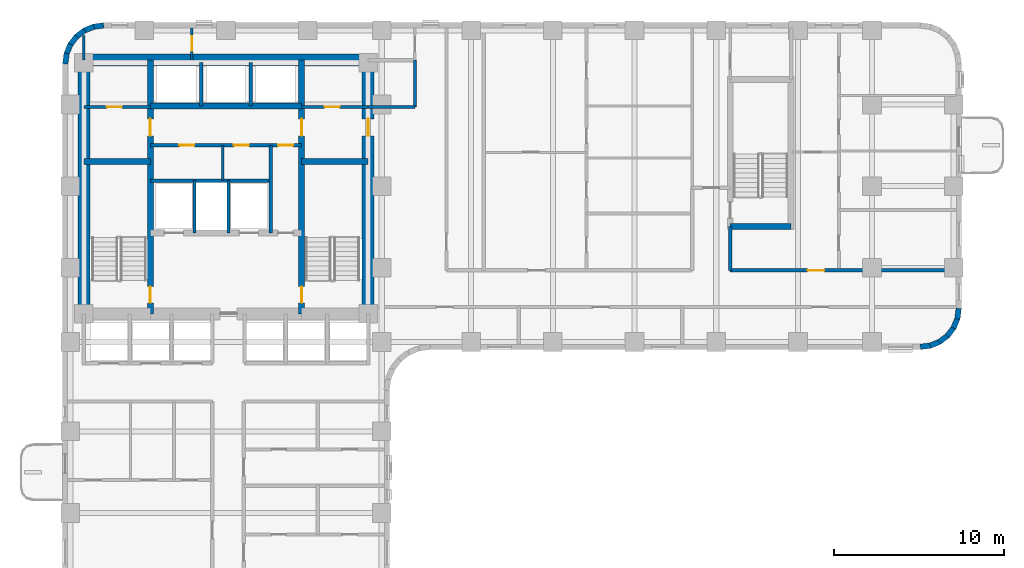
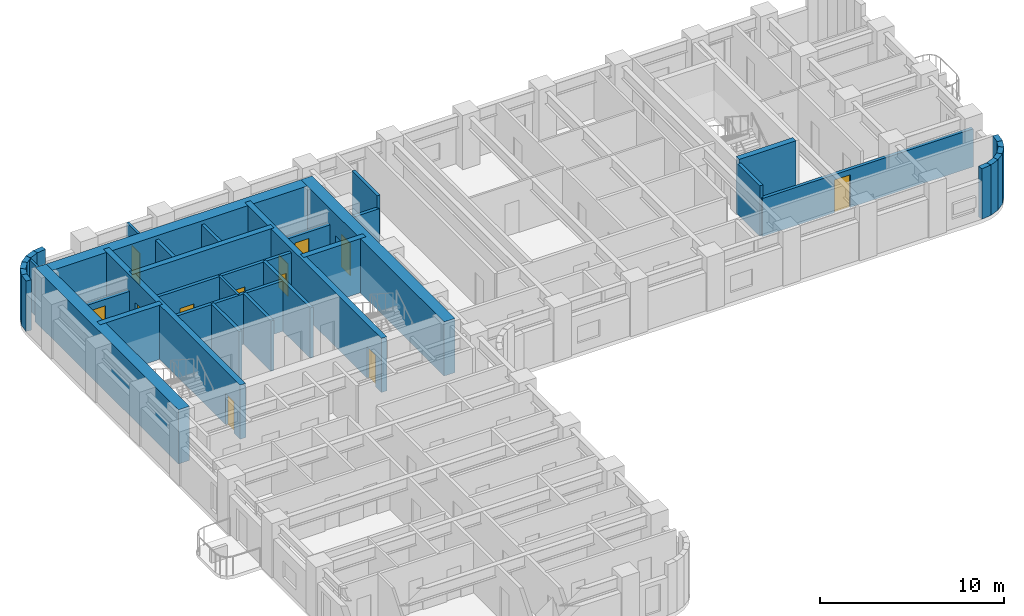
# One storey, part 5 of 11: 37 walls, 12 doors, 12 openings.
"""IFC4 building model written with IfcOpenShell, lengths in metres."""

from ifc_helpers import new_model, si_unit, direction, frame, frame_2d, origin, place, context, subcontext, project, spatial, rectangle, extrude, material, layer, layer_set, type_object, element, fill, save


model = new_model("IFC4")

# Units and contexts
model_context = context("Model", 3, precision=1e-05, world=origin(), true_north=direction((0.0, 1.0)))
body_context = subcontext(model_context, "Body", "Model", "MODEL_VIEW")
ifc_project = project(units=[si_unit("LENGTHUNIT", "METRE"), si_unit("AREAUNIT", "SQUARE_METRE"), si_unit("VOLUMEUNIT", "CUBIC_METRE"), si_unit("PLANEANGLEUNIT", "RADIAN"), si_unit("MASSUNIT", "GRAM", prefix="KILO")], contexts=[model_context])

# Site, building, storey
site_placement = place(None, origin())
site = spatial("IfcSite", under=ifc_project, at=site_placement, CompositionType="ELEMENT")
building_placement = place(site_placement, origin())
building = spatial("IfcBuilding", under=site, at=building_placement, Name="Orvandelia Arch Residences", CompositionType="ELEMENT")
storey_placement = place(building_placement, frame((0.0, 0.0, 64.60009765625)))
storey = spatial("IfcBuildingStorey", under=building, at=storey_placement, Name="L16", CompositionType="ELEMENT", Elevation=64.60009765625)

# Wall, openings, doors
ifc_material_1 = material(Name="Concrete C50/60", Category="concrete")
ifc_layer_1 = layer(ifc_material_1, 0.35009765625, Name="Concrete C50/60", Category="concrete")
ifc_layer_set_1 = layer_set([ifc_layer_1], Name="Concrete C50/60")
wall_type_1 = type_object("IfcWallType", Name="WL-CORE-350", PredefinedType="SHEAR", material=ifc_layer_set_1)
wall_1_placement = place(storey_placement, frame((9.9599609375, 30.89990234375, 0.0), z_axis=(0.0, 0.0, 1.0), x_axis=(0.0, 1.0, 0.0)))
wall_1 = element("IfcWall", 1, at=wall_1_placement, inside=storey, type_object=wall_type_1, Name="Core Shear Wall L16-WEB1", PredefinedType="SHEAR", context=body_context, shape_type="SweptSolid", body=[
    extrude(rectangle(XDim=14.900146484375, YDim=0.35009765625, at=frame_2d((7.4501953125, 0.0))), origin(), (0.0, 0.0, 1.0), 3.599853515625),
])
opening_1_placement = place(wall_1_placement, frame((0.64990234375, 0.0, 0.0)))
opening_1 = element("IfcOpeningElement", 2, at=opening_1_placement, cuts=wall_1, Name="Opening D7", PredefinedType="OPENING", context=body_context, shape_type="SweptSolid", body=[
    extrude(rectangle(XDim=0.949951171875, YDim=2.10009765625, at=frame_2d((0.47509765625, 1.050048828125))), frame((0.0, 0.18505859375, 0.0), z_axis=(0.0, -1.0, 0.0), x_axis=(1.0, 0.0, 0.0)), (0.0, 0.0, 1.0), 0.3701171875),
])
opening_2_placement = place(wall_1_placement, frame((10.449951171875, 0.0, 0.0)))
opening_2 = element("IfcOpeningElement", 3, at=opening_2_placement, cuts=wall_1, Name="Opening D6", PredefinedType="OPENING", context=body_context, shape_type="SweptSolid", body=[
    extrude(rectangle(XDim=1.0, YDim=2.14990234375, at=frame_2d((0.5, 1.074951171875))), frame((0.0, 0.18505859375, 0.0), z_axis=(0.0, -1.0, 0.0), x_axis=(1.0, 0.0, 0.0)), (0.0, 0.0, 1.0), 0.3701171875),
])
ifc_material_2 = material(Name="Smokeproof Painted Steel Fire Door", Category="steel")
door_type_1 = type_object("IfcDoorType", Name="DR-FD60-1000", OperationType="NOTDEFINED", PredefinedType="DOOR", material=ifc_material_2)
door_1_placement = place(opening_2_placement, origin())
door_1 = element("IfcDoor", 4, at=door_1_placement, inside=storey, type_object=door_type_1, Name="High-Rise Lift Hall West Vestibule Door L16", OperationType="SINGLE_SWING_LEFT", OverallHeight=2.14990234375, OverallWidth=1.0, PredefinedType="DOOR", context=body_context, shape_type="SweptSolid", body=[
    extrude(rectangle(XDim=1.0, YDim=2.14990234375, at=frame_2d((0.5, 1.074951171875))), frame((0.0, 0.02490234375, 0.0), z_axis=(0.0, -1.0, 0.0), x_axis=(1.0, 0.0, 0.0)), (0.0, 0.0, 1.0), 0.050048828125),
])
fill(opening_2, door_1)
ifc_material_3 = material(Name="Pressurised Stairwell Fire Door")
door_type_2 = type_object("IfcDoorType", Name="DR-STAIR-950", OperationType="NOTDEFINED", PredefinedType="DOOR", material=ifc_material_3)
door_2_placement = place(opening_1_placement, origin())
door_2 = element("IfcDoor", 5, at=door_2_placement, inside=storey, type_object=door_type_2, Name="Stairwell ST-1 Fire Door L16", OperationType="SINGLE_SWING_LEFT", OverallHeight=2.10009765625, OverallWidth=0.949951171875, PredefinedType="DOOR", context=body_context, shape_type="SweptSolid", body=[
    extrude(rectangle(XDim=0.949951171875, YDim=2.10009765625, at=frame_2d((0.47509765625, 1.050048828125))), frame((0.0, 0.02490234375, 0.0), z_axis=(0.0, -1.0, 0.0), x_axis=(1.0, 0.0, 0.0)), (0.0, 0.0, 1.0), 0.050048828125),
])
fill(opening_1, door_2)

wall_2_placement = place(storey_placement, frame((18.840087890625, 30.89990234375, 0.0), z_axis=(0.0, 0.0, 1.0), x_axis=(0.0, 1.0, 0.0)))
wall_2 = element("IfcWall", 6, at=wall_2_placement, inside=storey, type_object=wall_type_1, Name="Core Shear Wall L16-WEB2", PredefinedType="SHEAR", context=body_context, shape_type="SweptSolid", body=[
    extrude(rectangle(XDim=14.900146484375, YDim=0.35009765625, at=frame_2d((7.4501953125, 0.0))), origin(), (0.0, 0.0, 1.0), 3.599853515625),
])
opening_3_placement = place(wall_2_placement, frame((0.64990234375, 0.0, 0.0)))
opening_3 = element("IfcOpeningElement", 7, at=opening_3_placement, cuts=wall_2, Name="Opening D7", PredefinedType="OPENING", context=body_context, shape_type="SweptSolid", body=[
    extrude(rectangle(XDim=0.949951171875, YDim=2.10009765625, at=frame_2d((0.47509765625, 1.050048828125))), frame((0.0, 0.18505859375, 0.0), z_axis=(0.0, -1.0, 0.0), x_axis=(1.0, 0.0, 0.0)), (0.0, 0.0, 1.0), 0.3701171875),
])
opening_4_placement = place(wall_2_placement, frame((10.449951171875, 0.0, 0.0)))
opening_4 = element("IfcOpeningElement", 8, at=opening_4_placement, cuts=wall_2, Name="Opening D6", PredefinedType="OPENING", context=body_context, shape_type="SweptSolid", body=[
    extrude(rectangle(XDim=1.0, YDim=2.14990234375, at=frame_2d((0.5, 1.074951171875))), frame((0.0, 0.18505859375, 0.0), z_axis=(0.0, -1.0, 0.0), x_axis=(1.0, 0.0, 0.0)), (0.0, 0.0, 1.0), 0.3701171875),
])
door_3_placement = place(opening_4_placement, origin())
door_3 = element("IfcDoor", 9, at=door_3_placement, inside=storey, type_object=door_type_1, Name="High-Rise Lift Hall East Vestibule Door L16", OperationType="SINGLE_SWING_RIGHT", OverallHeight=2.14990234375, OverallWidth=1.0, PredefinedType="DOOR", context=body_context, shape_type="SweptSolid", body=[
    extrude(rectangle(XDim=1.0, YDim=2.14990234375, at=frame_2d((0.5, 1.074951171875))), frame((0.0, 0.02490234375, 0.0), z_axis=(0.0, -1.0, 0.0), x_axis=(1.0, 0.0, 0.0)), (0.0, 0.0, 1.0), 0.050048828125),
])
fill(opening_4, door_3)
door_4_placement = place(opening_3_placement, origin())
door_4 = element("IfcDoor", 10, at=door_4_placement, inside=storey, type_object=door_type_2, Name="Stairwell ST-2 Fire Door L16", OperationType="SINGLE_SWING_RIGHT", OverallHeight=2.10009765625, OverallWidth=0.949951171875, PredefinedType="DOOR", context=body_context, shape_type="SweptSolid", body=[
    extrude(rectangle(XDim=0.949951171875, YDim=2.10009765625, at=frame_2d((0.47509765625, 1.050048828125))), frame((0.0, 0.02490234375, 0.0), z_axis=(0.0, -1.0, 0.0), x_axis=(1.0, 0.0, 0.0)), (0.0, 0.0, 1.0), 0.050048828125),
])
fill(opening_3, door_4)

# Walls
for number, where, z_axis, x_axis, name in (
    (11, (6.050048828125, 39.85009765625, 0.0), (0.0, 0.0, 1.0), (1.0, 0.0, 0.0), "Core Shear Wall L16-HZ1"),
    (12, (18.840087890625, 39.85009765625, 0.0), (0.0, 0.0, 1.0), (1.0, 0.0, 0.0), "Core Shear Wall L16-HZ2"),
):
    element("IfcWall", number, at=place(storey_placement, frame(where, z_axis=z_axis, x_axis=x_axis)), inside=storey, type_object=wall_type_1, Name=name, PredefinedType="SHEAR", context=body_context, shape_type="SweptSolid", body=[
        extrude(rectangle(XDim=3.909912109375, YDim=0.35009765625, at=frame_2d((1.955078125, 0.0))), origin(), (0.0, 0.0, 1.0), 3.599853515625),
    ])
wall_3_placement = place(storey_placement, frame((9.9599609375, 43.10009765625, 0.0), z_axis=(0.0, 0.0, 1.0), x_axis=(1.0, 0.0, 0.0)))
element("IfcWall", 13, at=wall_3_placement, inside=storey, type_object=wall_type_1, Name="Core Shear Wall L16-HZ4", PredefinedType="SHEAR", context=body_context, shape_type="SweptSolid", body=[
    extrude(rectangle(XDim=8.880126953125, YDim=0.35009765625, at=frame_2d((4.43994140625, 0.0))), origin(), (0.0, 0.0, 1.0), 3.599853515625),
])
wall_4_placement = place(storey_placement, frame((44.02001953125, 36.0400390625, 0.0), z_axis=(0.0, 0.0, 1.0), x_axis=(1.0, 0.0, 0.0)))
element("IfcWall", 14, at=wall_4_placement, inside=storey, type_object=wall_type_1, Name="East Stair Core Shear Wall L16-S", PredefinedType="SHEAR", context=body_context, shape_type="SweptSolid", body=[
    extrude(rectangle(XDim=3.580078125, YDim=0.35009765625, at=frame_2d((1.7900390625, 0.0))), origin(), (0.0, 0.0, 1.0), 3.599853515625),
])
ifc_material_4 = material(Name="Concrete C80/95", Category="concrete")
ifc_layer_2 = layer(ifc_material_4, 0.699951171875, Name="Concrete C80/95", Category="concrete")
ifc_layer_set_2 = layer_set([ifc_layer_2], Name="Concrete C80/95")
wall_type_2 = type_object("IfcWallType", Name="WL-CORE-700", PredefinedType="SHEAR", material=ifc_layer_set_2)
wall_5_placement = place(storey_placement, frame((6.050048828125, 30.550048828125, 0.0), z_axis=(0.0, 0.0, 1.0), x_axis=(0.0, 1.0, 0.0)))
element("IfcWall", 15, at=wall_5_placement, inside=storey, type_object=wall_type_2, Name="Core Shear Wall L16-W", PredefinedType="SHEAR", context=body_context, shape_type="SweptSolid", body=[
    extrude(rectangle(XDim=15.599853515625, YDim=0.699951171875, at=frame_2d((7.7998046875, 0.0))), origin(), (0.0, 0.0, 1.0), 3.599853515625),
])

# Wall, opening, door
wall_6_placement = place(storey_placement, frame((22.75, 30.550048828125, 0.0), z_axis=(0.0, 0.0, 1.0), x_axis=(0.0, 1.0, 0.0)))
wall_6 = element("IfcWall", 16, at=wall_6_placement, inside=storey, type_object=wall_type_2, Name="Core Shear Wall L16-E", PredefinedType="SHEAR", context=body_context, shape_type="SweptSolid", body=[
    extrude(rectangle(XDim=15.599853515625, YDim=0.699951171875, at=frame_2d((7.7998046875, 0.0))), origin(), (0.0, 0.0, 1.0), 3.599853515625),
])
opening_5_placement = place(wall_6_placement, frame((10.800048828125, 0.0, 0.0)))
opening_5 = element("IfcOpeningElement", 17, at=opening_5_placement, cuts=wall_6, Name="Opening D6", PredefinedType="OPENING", context=body_context, shape_type="SweptSolid", body=[
    extrude(rectangle(XDim=1.0, YDim=2.14990234375, at=frame_2d((0.5, 1.074951171875))), frame((0.0, 0.35986328125, 0.0), z_axis=(0.0, -1.0, 0.0), x_axis=(1.0, 0.0, 0.0)), (0.0, 0.0, 1.0), 0.719970703125),
])
door_5_placement = place(opening_5_placement, origin())
door_5 = element("IfcDoor", 18, at=door_5_placement, inside=storey, type_object=door_type_1, Name="Core East Corridor Link Door L16", OperationType="SINGLE_SWING_LEFT", OverallHeight=2.14990234375, OverallWidth=1.0, PredefinedType="DOOR", context=body_context, shape_type="SweptSolid", body=[
    extrude(rectangle(XDim=1.0, YDim=2.14990234375, at=frame_2d((0.5, 1.074951171875))), frame((0.0, 0.02490234375, 0.0), z_axis=(0.0, -1.0, 0.0), x_axis=(1.0, 0.0, 0.0)), (0.0, 0.0, 1.0), 0.050048828125),
])
fill(opening_5, door_5)

# Wall
wall_7_placement = place(storey_placement, frame((6.050048828125, 45.800048828125, 0.0), z_axis=(0.0, 0.0, 1.0), x_axis=(1.0, 0.0, 0.0)))
element("IfcWall", 19, at=wall_7_placement, inside=storey, type_object=wall_type_2, Name="Core Shear Wall L16-N", PredefinedType="SHEAR", context=body_context, shape_type="SweptSolid", body=[
    extrude(rectangle(XDim=16.699951171875, YDim=0.699951171875, at=frame_2d((8.35009765625, 0.0))), origin(), (0.0, 0.0, 1.0), 3.599853515625),
])

# Wall, opening, door
ifc_material_5 = material(Name="Fire-Rated Corridor Partition")
ifc_layer_3 = layer(ifc_material_5, 0.199951171875, Name="Fire-Rated Corridor Partition")
ifc_layer_set_3 = layer_set([ifc_layer_3], Name="Fire-Rated Corridor Partition")
wall_type_3 = type_object("IfcWallType", Name="WL-CORR-200", PredefinedType="PARTITIONING", material=ifc_layer_set_3)
wall_8_placement = place(storey_placement, frame((44.02001953125, 33.449951171875, 0.0), z_axis=(0.0, 0.0, 1.0), x_axis=(1.0, 0.0, 0.0)))
wall_8 = element("IfcWall", 20, at=wall_8_placement, inside=storey, type_object=wall_type_3, Name="Interior Partition Wall WL-L16-ES-N2", PredefinedType="PARTITIONING", context=body_context, shape_type="SweptSolid", body=[
    extrude(rectangle(XDim=13.260009765625, YDim=0.199951171875, at=frame_2d((6.6298828125, 0.0))), origin(), (0.0, 0.0, 1.0), 2.52978515625),
])
opening_6_placement = place(wall_8_placement, frame((4.548583984375, 0.0, 0.0)))
opening_6 = element("IfcOpeningElement", 21, at=opening_6_placement, cuts=wall_8, Name="Opening D1", PredefinedType="OPENING", context=body_context, shape_type="SweptSolid", body=[
    extrude(rectangle(XDim=0.97998046875, YDim=2.179931640625, at=frame_2d((0.489990234375, 1.08984375))), frame((0.0, 0.10986328125, 0.0), z_axis=(0.0, -1.0, 0.0), x_axis=(1.0, 0.0, 0.0)), (0.0, 0.0, 1.0), 0.219970703125),
])
ifc_material_6 = material(Name="Solid-Core Timber Acoustic Fire Door", Category="wood")
door_type_3 = type_object("IfcDoorType", Name="DR-ENT-980", OperationType="NOTDEFINED", PredefinedType="DOOR", material=ifc_material_6)
door_6_placement = place(opening_6_placement, origin())
door_6 = element("IfcDoor", 22, at=door_6_placement, inside=storey, type_object=door_type_3, Name="Unit L16-08 Entrance Door", OperationType="SINGLE_SWING_RIGHT", OverallHeight=2.179931640625, OverallWidth=0.97998046875, PredefinedType="DOOR", context=body_context, shape_type="SweptSolid", body=[
    extrude(rectangle(XDim=0.97998046875, YDim=2.179931640625, at=frame_2d((0.489990234375, 1.08984375))), frame((0.0, 0.02490234375, 0.0), z_axis=(0.0, -1.0, 0.0), x_axis=(1.0, 0.0, 0.0)), (0.0, 0.0, 1.0), 0.050048828125),
])
fill(opening_6, door_6)

# Walls
wall_9_placement = place(storey_placement, frame((22.75, 43.050048828125, 0.0), z_axis=(0.0, 0.0, 1.0), x_axis=(1.0, 0.0, 0.0)))
element("IfcWall", 23, at=wall_9_placement, inside=storey, type_object=wall_type_3, Name="Interior Partition Wall WL-L16-ES-LS", PredefinedType="PARTITIONING", context=body_context, shape_type="SweptSolid", body=[
    extrude(rectangle(XDim=2.75, YDim=0.199951171875, at=frame_2d((1.375, 0.0))), origin(), (0.0, 0.0, 1.0), 2.52978515625),
])
wall_10_placement = place(storey_placement, frame((25.5, 43.050048828125, 0.0), z_axis=(0.0, 0.0, 1.0), x_axis=(0.0, 1.0, 0.0)))
element("IfcWall", 24, at=wall_10_placement, inside=storey, type_object=wall_type_3, Name="Interior Partition Wall WL-L16-ES-LW2", PredefinedType="PARTITIONING", context=body_context, shape_type="SweptSolid", body=[
    extrude(rectangle(XDim=2.75, YDim=0.199951171875, at=frame_2d((1.375, 0.0))), origin(), (0.0, 0.0, 1.0), 3.349853515625),
])
ifc_material_7 = material(Name="Concrete C40/50", Category="concrete")
ifc_layer_4 = layer(ifc_material_7, 0.199951171875, Name="Concrete C40/50", Category="concrete")
ifc_layer_set_4 = layer_set([ifc_layer_4], Name="Concrete C40/50")
wall_type_4 = type_object("IfcWallType", Name="WL-DEM-200", PredefinedType="SOLIDWALL", material=ifc_layer_set_4)
wall_11_placement = place(storey_placement, frame((44.02001953125, 33.449951171875, 0.0), z_axis=(0.0, 0.0, 1.0), x_axis=(0.0, 1.0, 0.0)))
element("IfcWall", 25, at=wall_11_placement, inside=storey, type_object=wall_type_4, Name="Interior Partition Wall WL-L16-ES-NST3S", PredefinedType="SOLIDWALL", context=body_context, shape_type="SweptSolid", body=[
    extrude(rectangle(XDim=2.590087890625, YDim=0.199951171875, at=frame_2d((1.294921875, 0.0))), origin(), (0.0, 0.0, 1.0), 3.349853515625),
])
ifc_material_8 = material(Name="Precast concrete C40/50", Category="concrete")
ifc_layer_5 = layer(ifc_material_8, 0.320068359375, Name="Precast concrete C40/50", Category="concrete")
ifc_layer_set_5 = layer_set([ifc_layer_5], Name="Precast concrete C40/50")
wall_type_5 = type_object("IfcWallType", Name="WL-EXT-STONE-320", PredefinedType="STANDARD", material=ifc_layer_set_5)
for number, where, z_axis, x_axis, name in (
    (26, (4.95849609375, 45.5791015625, 0.0), (0.0, 0.0, 1.0), (0.130555323746, 0.9914410257, 0.0), "Coral-Limestone Precast Facade Wall L16-001"),
    (27, (5.029541015625, 46.159912109375, 0.0), (0.0, 0.0, 1.0), (0.382650053678, 0.92389335771, 0.0), "Coral-Limestone Precast Facade Wall L16-002"),
):
    element("IfcWall", number, at=place(storey_placement, frame(where, z_axis=z_axis, x_axis=x_axis)), inside=storey, type_object=wall_type_5, Name=name, PredefinedType="STANDARD", context=body_context, shape_type="SweptSolid", body=[
        extrude(rectangle(XDim=0.62646484375, YDim=0.320068359375, at=frame_2d((0.313232421875, 0.0))), origin(), (0.0, 0.0, 1.0), 3.349853515625),
    ])
wall_12_placement = place(storey_placement, frame((5.248291015625, 46.70263671875, 0.0), z_axis=(0.0, 0.0, 1.0), x_axis=(0.608938521285, 0.7932174212, 0.0)))
element("IfcWall", 28, at=wall_12_placement, inside=storey, type_object=wall_type_5, Name="Coral-Limestone Precast Facade Wall L16-003", PredefinedType="STANDARD", context=body_context, shape_type="SweptSolid", body=[
    extrude(rectangle(XDim=0.626708984375, YDim=0.320068359375, at=frame_2d((0.3134765625, 0.0))), origin(), (0.0, 0.0, 1.0), 3.349853515625),
])
wall_13_placement = place(storey_placement, frame((5.600341796875, 47.170166015625, 0.0), z_axis=(0.0, 0.0, 1.0), x_axis=(0.793405610854, 0.608693302629, 0.0)))
element("IfcWall", 29, at=wall_13_placement, inside=storey, type_object=wall_type_5, Name="Coral-Limestone Precast Facade Wall L16-004", PredefinedType="STANDARD", context=body_context, shape_type="SweptSolid", body=[
    extrude(rectangle(XDim=0.62646484375, YDim=0.320068359375, at=frame_2d((0.313232421875, 0.0))), origin(), (0.0, 0.0, 1.0), 3.349853515625),
])
wall_14_placement = place(storey_placement, frame((6.061279296875, 47.53076171875, 0.0), z_axis=(0.0, 0.0, 1.0), x_axis=(0.923836271867, 0.382787856107, 0.0)))
element("IfcWall", 30, at=wall_14_placement, inside=storey, type_object=wall_type_5, Name="Coral-Limestone Precast Facade Wall L16-005", PredefinedType="STANDARD", context=body_context, shape_type="SweptSolid", body=[
    extrude(rectangle(XDim=0.626220703125, YDim=0.320068359375, at=frame_2d((0.31298828125, 0.0))), origin(), (0.0, 0.0, 1.0), 3.349853515625),
])
for number, where, z_axis, x_axis, name in (
    (31, (6.599609375, 47.759521484375, 0.0), (0.0, 0.0, 1.0), (0.991447664465, 0.130504898859, 0.0), "Coral-Limestone Precast Facade Wall L16-006"),
    (32, (57.44140625, 31.220947265625, 0.0), (0.0, 0.0, 1.0), (-0.130504898859, -0.991447664465, 0.0), "Coral-Limestone Precast Facade Wall L16-015"),
):
    element("IfcWall", number, at=place(storey_placement, frame(where, z_axis=z_axis, x_axis=x_axis)), inside=storey, type_object=wall_type_5, Name=name, PredefinedType="STANDARD", context=body_context, shape_type="SweptSolid", body=[
        extrude(rectangle(XDim=0.626708984375, YDim=0.320068359375, at=frame_2d((0.3134765625, 0.0))), origin(), (0.0, 0.0, 1.0), 3.349853515625),
    ])
wall_15_placement = place(storey_placement, frame((57.370361328125, 30.639892578125, 0.0), z_axis=(0.0, 0.0, 1.0), x_axis=(-0.382787856107, -0.923836271867, 0.0)))
element("IfcWall", 33, at=wall_15_placement, inside=storey, type_object=wall_type_5, Name="Coral-Limestone Precast Facade Wall L16-016", PredefinedType="STANDARD", context=body_context, shape_type="SweptSolid", body=[
    extrude(rectangle(XDim=0.626220703125, YDim=0.320068359375, at=frame_2d((0.31298828125, 0.0))), origin(), (0.0, 0.0, 1.0), 3.349853515625),
])
wall_16_placement = place(storey_placement, frame((57.151611328125, 30.097412109375, 0.0), z_axis=(0.0, 0.0, 1.0), x_axis=(-0.608693302629, -0.793405610854, 0.0)))
element("IfcWall", 34, at=wall_16_placement, inside=storey, type_object=wall_type_5, Name="Coral-Limestone Precast Facade Wall L16-017", PredefinedType="STANDARD", context=body_context, shape_type="SweptSolid", body=[
    extrude(rectangle(XDim=0.62646484375, YDim=0.320068359375, at=frame_2d((0.313232421875, 0.0))), origin(), (0.0, 0.0, 1.0), 3.349853515625),
])
wall_17_placement = place(storey_placement, frame((56.7998046875, 29.6298828125, 0.0), z_axis=(0.0, 0.0, 1.0), x_axis=(-0.793361818833, -0.608750379399, 0.0)))
element("IfcWall", 35, at=wall_17_placement, inside=storey, type_object=wall_type_5, Name="Coral-Limestone Precast Facade Wall L16-018", PredefinedType="STANDARD", context=body_context, shape_type="SweptSolid", body=[
    extrude(rectangle(XDim=0.626953125, YDim=0.320068359375, at=frame_2d((0.3134765625, 0.0))), origin(), (0.0, 0.0, 1.0), 3.349853515625),
])
for number, where, z_axis, x_axis, name in (
    (36, (56.3388671875, 29.269287109375, 0.0), (0.0, 0.0, 1.0), (-0.92389335771, -0.382650053678, 0.0), "Coral-Limestone Precast Facade Wall L16-019"),
    (37, (55.80029296875, 29.040283203125, 0.0), (0.0, 0.0, 1.0), (-0.9914410257, -0.130555323746, 0.0), "Coral-Limestone Precast Facade Wall L16-020"),
):
    element("IfcWall", number, at=place(storey_placement, frame(where, z_axis=z_axis, x_axis=x_axis)), inside=storey, type_object=wall_type_5, Name=name, PredefinedType="STANDARD", context=body_context, shape_type="SweptSolid", body=[
        extrude(rectangle(XDim=0.62646484375, YDim=0.320068359375, at=frame_2d((0.313232421875, 0.0))), origin(), (0.0, 0.0, 1.0), 3.349853515625),
    ])
ifc_material_9 = material(Name="Acoustic Gypsum Stud Partition")
ifc_layer_6 = layer(ifc_material_9, 0.14990234375, Name="Acoustic Gypsum Stud Partition")
ifc_layer_set_6 = layer_set([ifc_layer_6], Name="Acoustic Gypsum Stud Partition")
wall_type_6 = type_object("IfcWallType", Name="WL-PART-150", PredefinedType="PARTITIONING", material=ifc_layer_set_6)
wall_18_placement = place(storey_placement, frame((14.199951171875, 38.719970703125, 0.0), z_axis=(0.0, 0.0, 1.0), x_axis=(0.0, 1.0, 0.0)))
element("IfcWall", 38, at=wall_18_placement, inside=storey, type_object=wall_type_6, Name="Interior Partition Wall WL-L16-CSA-1", PredefinedType="PARTITIONING", context=body_context, shape_type="SweptSolid", body=[
    extrude(rectangle(XDim=2.080078125, YDim=0.14990234375, at=frame_2d((1.0400390625, 0.0))), origin(), (0.0, 0.0, 1.0), 3.349853515625),
])
wall_19_placement = place(storey_placement, frame((6.050048828125, 45.800048828125, 0.0), z_axis=(0.0, 0.0, 1.0), x_axis=(0.0, 1.0, 0.0)))
element("IfcWall", 39, at=wall_19_placement, inside=storey, type_object=wall_type_6, Name="Interior Partition Wall WL-L16-NC-W6", PredefinedType="PARTITIONING", context=body_context, shape_type="SweptSolid", body=[
    extrude(rectangle(XDim=1.4599609375, YDim=0.14990234375, at=frame_2d((0.72998046875, 0.0))), origin(), (0.0, 0.0, 1.0), 3.349853515625),
])

# Wall, opening, door
wall_20_placement = place(storey_placement, frame((12.39990234375, 45.800048828125, 0.0), z_axis=(0.0, 0.0, 1.0), x_axis=(0.0, 1.0, 0.0)))
wall_20 = element("IfcWall", 40, at=wall_20_placement, inside=storey, type_object=wall_type_6, Name="Interior Partition Wall WL-L16-NC-M", PredefinedType="PARTITIONING", context=body_context, shape_type="SweptSolid", body=[
    extrude(rectangle(XDim=1.8798828125, YDim=0.14990234375, at=frame_2d((0.93994140625, 0.0))), origin(), (0.0, 0.0, 1.0), 3.349853515625),
])
opening_7_placement = place(wall_20_placement, frame((0.550048828125, 0.0, 0.0)))
opening_7 = element("IfcOpeningElement", 41, at=opening_7_placement, cuts=wall_20, Name="Opening D4", PredefinedType="OPENING", context=body_context, shape_type="SweptSolid", body=[
    extrude(rectangle(XDim=0.860107421875, YDim=2.10009765625, at=frame_2d((0.43017578125, 1.050048828125))), frame((0.0, 0.0849609375, 0.0), z_axis=(0.0, -1.0, 0.0), x_axis=(1.0, 0.0, 0.0)), (0.0, 0.0, 1.0), 0.169921875),
])
ifc_material_10 = material(Name="Moisture-Sealed Timber Bathroom Door", Category="wood")
door_type_4 = type_object("IfcDoorType", Name="DR-WET-900", OperationType="NOTDEFINED", PredefinedType="DOOR", material=ifc_material_10)
door_7_placement = place(opening_7_placement, origin())
door_7 = element("IfcDoor", 42, at=door_7_placement, inside=storey, type_object=door_type_4, Name="DR-L16-NCS1", OperationType="SINGLE_SWING_LEFT", OverallHeight=2.10009765625, OverallWidth=0.860107421875, PredefinedType="DOOR", context=body_context, shape_type="SweptSolid", body=[
    extrude(rectangle(XDim=0.860107421875, YDim=2.10009765625, at=frame_2d((0.43017578125, 1.050048828125))), frame((0.0, 0.02490234375, 0.0), z_axis=(0.0, -1.0, 0.0), x_axis=(1.0, 0.0, 0.0)), (0.0, 0.0, 1.0), 0.050048828125),
])
fill(opening_7, door_7)

# Walls
ifc_material_11 = material(Name="Fire-Rated Shaft Enclosure Wall")
ifc_layer_7 = layer(ifc_material_11, 0.199951171875, Name="Fire-Rated Shaft Enclosure Wall")
ifc_layer_set_7 = layer_set([ifc_layer_7], Name="Fire-Rated Shaft Enclosure Wall")
wall_type_7 = type_object("IfcWallType", Name="WL-SHAFT-200", PredefinedType="POLYGONAL", material=ifc_layer_set_7)
wall_21_placement = place(storey_placement, frame((9.9599609375, 38.719970703125, 0.0), z_axis=(0.0, 0.0, 1.0), x_axis=(1.0, 0.0, 0.0)))
element("IfcWall", 43, at=wall_21_placement, inside=storey, type_object=wall_type_7, Name="Interior Partition Wall WL-L16-FLN", PredefinedType="POLYGONAL", context=body_context, shape_type="SweptSolid", body=[
    extrude(rectangle(XDim=7.06005859375, YDim=0.199951171875, at=frame_2d((3.530029296875, 0.0))), origin(), (0.0, 0.0, 1.0), 3.349853515625),
])
for number, where, z_axis, x_axis, name in (
    (44, (12.550048828125, 35.64990234375, 0.0), (0.0, 0.0, 1.0), (0.0, 1.0, 0.0), "Interior Partition Wall WL-L16-FLM1"),
    (45, (14.550048828125, 35.64990234375, 0.0), (0.0, 0.0, 1.0), (0.0, 1.0, 0.0), "Interior Partition Wall WL-L16-FLM2"),
):
    element("IfcWall", number, at=place(storey_placement, frame(where, z_axis=z_axis, x_axis=x_axis)), inside=storey, type_object=wall_type_7, Name=name, PredefinedType="POLYGONAL", context=body_context, shape_type="SweptSolid", body=[
        extrude(rectangle(XDim=3.070068359375, YDim=0.199951171875, at=frame_2d((1.53515625, 0.0))), origin(), (0.0, 0.0, 1.0), 3.349853515625),
    ])
wall_22_placement = place(storey_placement, frame((17.02001953125, 35.64990234375, 0.0), z_axis=(0.0, 0.0, 1.0), x_axis=(0.0, 1.0, 0.0)))
element("IfcWall", 46, at=wall_22_placement, inside=storey, type_object=wall_type_7, Name="Interior Partition Wall WL-L16-FLM3", PredefinedType="POLYGONAL", context=body_context, shape_type="SweptSolid", body=[
    extrude(rectangle(XDim=5.150146484375, YDim=0.199951171875, at=frame_2d((2.5751953125, 0.0))), origin(), (0.0, 0.0, 1.0), 3.349853515625),
])

# Wall, openings, doors
wall_23_placement = place(storey_placement, frame((9.9599609375, 40.800048828125, 0.0), z_axis=(0.0, 0.0, 1.0), x_axis=(1.0, 0.0, 0.0)))
wall_23 = element("IfcWall", 47, at=wall_23_placement, inside=storey, type_object=wall_type_7, Name="Interior Partition Wall WL-L16-HLH-S", PredefinedType="POLYGONAL", context=body_context, shape_type="SweptSolid", body=[
    extrude(rectangle(XDim=8.880126953125, YDim=0.199951171875, at=frame_2d((4.43994140625, 0.0))), origin(), (0.0, 0.0, 1.0), 3.349853515625),
])
opening_8_placement = place(wall_23_placement, frame((7.5, 0.0, 0.0)))
opening_8 = element("IfcOpeningElement", 48, at=opening_8_placement, cuts=wall_23, Name="Opening D5", PredefinedType="OPENING", context=body_context, shape_type="SweptSolid", body=[
    extrude(rectangle(XDim=0.8798828125, YDim=2.10009765625, at=frame_2d((0.43994140625, 1.050048828125))), frame((0.0, 0.10986328125, 0.0), z_axis=(0.0, -1.0, 0.0), x_axis=(1.0, 0.0, 0.0)), (0.0, 0.0, 1.0), 0.219970703125),
])
opening_9_placement = place(wall_23_placement, frame((1.699951171875, 0.0, 0.0)))
opening_9 = element("IfcOpeningElement", 49, at=opening_9_placement, cuts=wall_23, Name="Opening D5", PredefinedType="OPENING", context=body_context, shape_type="SweptSolid", body=[
    extrude(rectangle(XDim=0.8798828125, YDim=2.10009765625, at=frame_2d((0.43994140625, 1.050048828125))), frame((0.0, 0.10986328125, 0.0), z_axis=(0.0, -1.0, 0.0), x_axis=(1.0, 0.0, 0.0)), (0.0, 0.0, 1.0), 0.219970703125),
])
opening_10_placement = place(wall_23_placement, frame((4.89990234375, 0.0, 0.0)))
opening_10 = element("IfcOpeningElement", 50, at=opening_10_placement, cuts=wall_23, Name="Opening D5", PredefinedType="OPENING", context=body_context, shape_type="SweptSolid", body=[
    extrude(rectangle(XDim=0.8798828125, YDim=2.10009765625, at=frame_2d((0.43994140625, 1.050048828125))), frame((0.0, 0.10986328125, 0.0), z_axis=(0.0, -1.0, 0.0), x_axis=(1.0, 0.0, 0.0)), (0.0, 0.0, 1.0), 0.219970703125),
])
ifc_material_12 = material(Name="Painted Galvanised Steel Service Door", Category="steel")
door_type_5 = type_object("IfcDoorType", Name="DR-SRV-880", OperationType="NOTDEFINED", PredefinedType="DOOR", material=ifc_material_12)
door_8_placement = place(opening_8_placement, origin())
door_8 = element("IfcDoor", 51, at=door_8_placement, inside=storey, type_object=door_type_5, Name="Core Stairway Passage North Fire Door L16", OperationType="SINGLE_SWING_RIGHT", OverallHeight=2.10009765625, OverallWidth=0.8798828125, PredefinedType="DOOR", context=body_context, shape_type="SweptSolid", body=[
    extrude(rectangle(XDim=0.8798828125, YDim=2.10009765625, at=frame_2d((0.43994140625, 1.050048828125))), frame((0.0, 0.02490234375, 0.0), z_axis=(0.0, -1.0, 0.0), x_axis=(1.0, 0.0, 0.0)), (0.0, 0.0, 1.0), 0.050048828125),
])
fill(opening_8, door_8)
door_9_placement = place(opening_9_placement, origin())
door_9 = element("IfcDoor", 52, at=door_9_placement, inside=storey, type_object=door_type_5, Name="DR-L16-CSA1", OperationType="SINGLE_SWING_LEFT", OverallHeight=2.10009765625, OverallWidth=0.8798828125, PredefinedType="DOOR", context=body_context, shape_type="SweptSolid", body=[
    extrude(rectangle(XDim=0.8798828125, YDim=2.10009765625, at=frame_2d((0.43994140625, 1.050048828125))), frame((0.0, 0.02490234375, 0.0), z_axis=(0.0, -1.0, 0.0), x_axis=(1.0, 0.0, 0.0)), (0.0, 0.0, 1.0), 0.050048828125),
])
fill(opening_9, door_9)
door_10_placement = place(opening_10_placement, origin())
door_10 = element("IfcDoor", 53, at=door_10_placement, inside=storey, type_object=door_type_5, Name="DR-L16-CSA2", OperationType="SINGLE_SWING_RIGHT", OverallHeight=2.10009765625, OverallWidth=0.8798828125, PredefinedType="DOOR", context=body_context, shape_type="SweptSolid", body=[
    extrude(rectangle(XDim=0.8798828125, YDim=2.10009765625, at=frame_2d((0.43994140625, 1.050048828125))), frame((0.0, 0.02490234375, 0.0), z_axis=(0.0, -1.0, 0.0), x_axis=(1.0, 0.0, 0.0)), (0.0, 0.0, 1.0), 0.050048828125),
])
fill(opening_10, door_10)

# Wall, opening, door
wall_24_placement = place(storey_placement, frame((18.840087890625, 43.050048828125, 0.0), z_axis=(0.0, 0.0, 1.0), x_axis=(1.0, 0.0, 0.0)))
wall_24 = element("IfcWall", 54, at=wall_24_placement, inside=storey, type_object=wall_type_7, Name="Interior Partition Wall WL-L16-HLE-N", PredefinedType="POLYGONAL", context=body_context, shape_type="SweptSolid", body=[
    extrude(rectangle(XDim=3.909912109375, YDim=0.199951171875, at=frame_2d((1.955078125, 0.0))), origin(), (0.0, 0.0, 1.0), 2.52978515625),
])
opening_11_placement = place(wall_24_placement, frame((1.35009765625, 0.0, 0.0)))
opening_11 = element("IfcOpeningElement", 55, at=opening_11_placement, cuts=wall_24, Name="Opening D5", PredefinedType="OPENING", context=body_context, shape_type="SweptSolid", body=[
    extrude(rectangle(XDim=0.8798828125, YDim=2.10009765625, at=frame_2d((0.43994140625, 1.050048828125))), frame((0.0, 0.10986328125, 0.0), z_axis=(0.0, -1.0, 0.0), x_axis=(1.0, 0.0, 0.0)), (0.0, 0.0, 1.0), 0.219970703125),
])
door_11_placement = place(opening_11_placement, origin())
door_11 = element("IfcDoor", 56, at=door_11_placement, inside=storey, type_object=door_type_5, Name="DR-L16-CSB1", OperationType="SINGLE_SWING_LEFT", OverallHeight=2.10009765625, OverallWidth=0.8798828125, PredefinedType="DOOR", context=body_context, shape_type="SweptSolid", body=[
    extrude(rectangle(XDim=0.8798828125, YDim=2.10009765625, at=frame_2d((0.43994140625, 1.050048828125))), frame((0.0, 0.02490234375, 0.0), z_axis=(0.0, -1.0, 0.0), x_axis=(1.0, 0.0, 0.0)), (0.0, 0.0, 1.0), 0.050048828125),
])
fill(opening_11, door_11)

wall_25_placement = place(storey_placement, frame((6.050048828125, 43.050048828125, 0.0), z_axis=(0.0, 0.0, 1.0), x_axis=(1.0, 0.0, 0.0)))
wall_25 = element("IfcWall", 57, at=wall_25_placement, inside=storey, type_object=wall_type_7, Name="Interior Partition Wall WL-L16-HLW-N", PredefinedType="POLYGONAL", context=body_context, shape_type="SweptSolid", body=[
    extrude(rectangle(XDim=3.909912109375, YDim=0.199951171875, at=frame_2d((1.955078125, 0.0))), origin(), (0.0, 0.0, 1.0), 2.52978515625),
])
opening_12_placement = place(wall_25_placement, frame((1.35009765625, 0.0, 0.0)))
opening_12 = element("IfcOpeningElement", 58, at=opening_12_placement, cuts=wall_25, Name="Opening D5", PredefinedType="OPENING", context=body_context, shape_type="SweptSolid", body=[
    extrude(rectangle(XDim=0.8798828125, YDim=2.10009765625, at=frame_2d((0.43994140625, 1.050048828125))), frame((0.0, 0.10986328125, 0.0), z_axis=(0.0, -1.0, 0.0), x_axis=(1.0, 0.0, 0.0)), (0.0, 0.0, 1.0), 0.219970703125),
])
door_12_placement = place(opening_12_placement, origin())
door_12 = element("IfcDoor", 59, at=door_12_placement, inside=storey, type_object=door_type_5, Name="Riser Service Door L16", OperationType="SINGLE_SWING_RIGHT", OverallHeight=2.10009765625, OverallWidth=0.8798828125, PredefinedType="DOOR", context=body_context, shape_type="SweptSolid", body=[
    extrude(rectangle(XDim=0.8798828125, YDim=2.10009765625, at=frame_2d((0.43994140625, 1.050048828125))), frame((0.0, 0.02490234375, 0.0), z_axis=(0.0, -1.0, 0.0), x_axis=(1.0, 0.0, 0.0)), (0.0, 0.0, 1.0), 0.050048828125),
])
fill(opening_12, door_12)

# Walls
for number, where, z_axis, x_axis, name in (
    (60, (12.949951171875, 43.10009765625, 0.0), (0.0, 0.0, 1.0), (0.0, 1.0, 0.0), "Interior Partition Wall WL-L16-PHD1"),
    (61, (15.85009765625, 43.10009765625, 0.0), (0.0, 0.0, 1.0), (0.0, 1.0, 0.0), "Interior Partition Wall WL-L16-PHD2"),
):
    element("IfcWall", number, at=place(storey_placement, frame(where, z_axis=z_axis, x_axis=x_axis)), inside=storey, type_object=wall_type_7, Name=name, PredefinedType="POLYGONAL", context=body_context, shape_type="SweptSolid", body=[
        extrude(rectangle(XDim=2.5498046875, YDim=0.199951171875, at=frame_2d((1.27490234375, 0.0))), origin(), (0.0, 0.0, 1.0), 3.349853515625),
    ])

save(model, "model.ifc")
